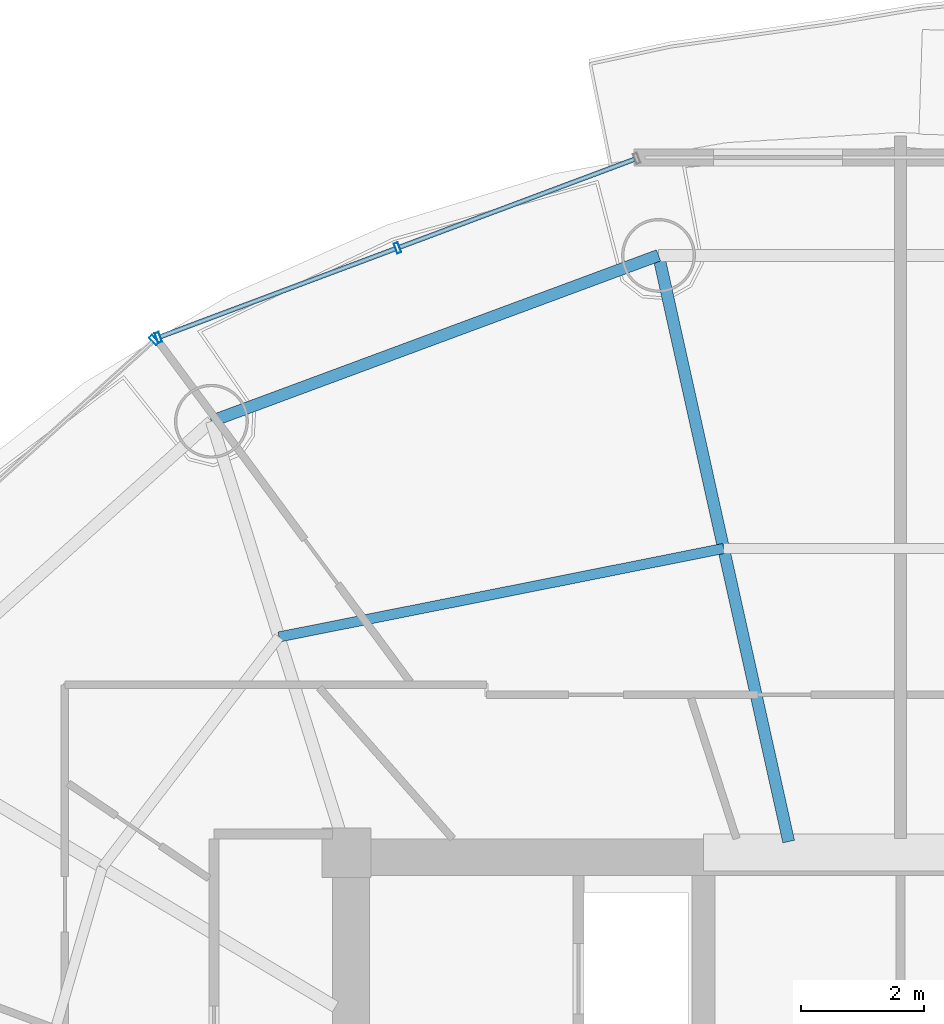
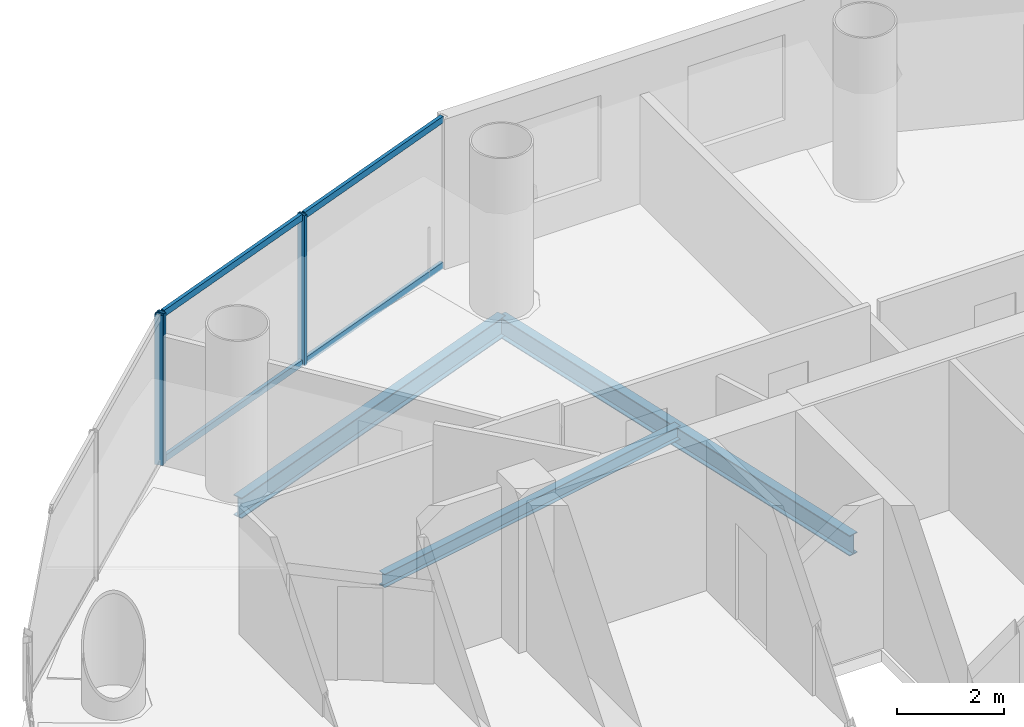
# One storey, part 15 of 26: 7 members, 3 beams, 2 elements without a shape of their own.
"""IFC4 building model written with IfcOpenShell, lengths in metres."""

from ifc_helpers import new_model, si_unit, direction, frame, origin, origin_2d, place, context, subcontext, project, spatial, hollow_rectangle, i_section, extrude, source, transform, mapped, material, material_profile, profile_set, type_object, element, aggregate, save


model = new_model("IFC4")

# Units and contexts
model_context = context("Model", 3, precision=1e-05, world=origin(), true_north=direction((-0.2419218956, 0.970295726276)))
body_context = subcontext(model_context, "Body", "Model", "MODEL_VIEW")
ifc_project = project(units=[si_unit("LENGTHUNIT", "METRE"), si_unit("AREAUNIT", "SQUARE_METRE"), si_unit("VOLUMEUNIT", "CUBIC_METRE"), si_unit("PLANEANGLEUNIT", "RADIAN"), si_unit("MASSUNIT", "GRAM", prefix="KILO")], contexts=[model_context])

# Site, building, storey
site_placement = place(None, origin())
site = spatial("IfcSite", under=ifc_project, at=site_placement, CompositionType="ELEMENT")
building_placement = place(site_placement, origin())
building = spatial("IfcBuilding", under=site, at=building_placement, Name="Cobrevalo Terracotta Tower", CompositionType="ELEMENT")
storey_placement = place(building_placement, frame((0.0, 0.0, 206.0)))
storey = spatial("IfcBuildingStorey", under=building, at=storey_placement, Name="L54", CompositionType="ELEMENT", Elevation=206.0)

# Beams
ifc_material_1 = material(Name="Steel S355", Category="steel")
ifc_material_profile_1 = material_profile(ifc_material_1, i_section(OverallWidth=0.194091796875, OverallDepth=0.468994140625, WebThickness=0.011474609375, FlangeThickness=0.0205078125, at=origin_2d()), Name="W 460x106")
ifc_profile_set_1 = profile_set([ifc_material_profile_1], Name="Steel S355")
beam_type_1 = type_object("IfcBeamType", Name="Structural Beam W 460x106 (Steel S355)", PredefinedType="BEAM", material=ifc_profile_set_1)
beam_1_placement = place(storey_placement, frame((34.06884765625, 44.503173828125, -0.49951171875), z_axis=(0.216782061165, -0.976220025382, 0.0), x_axis=(0.976220025382, 0.216782061165, 0.0)))
element("IfcBeam", 1, at=beam_1_placement, inside=storey, type_object=beam_type_1, Name="L54 radial floor girder 05", PredefinedType="BEAM", context=body_context, shape_type="SweptSolid", body=[
    extrude(i_section(OverallWidth=0.194091796875, OverallDepth=0.468994140625, WebThickness=0.011474609375, FlangeThickness=0.0205078125, at=origin_2d()), origin(), (0.0, 0.0, 1.0), 9.755126953125),
])
ifc_material_profile_2 = material_profile(ifc_material_1, i_section(OverallWidth=0.1650390625, OverallDepth=0.31005859375, WebThickness=0.005859375, FlangeThickness=0.009765625, at=origin_2d()), Name="W 310x38.7")
ifc_profile_set_2 = profile_set([ifc_material_profile_2], Name="Steel S355")
beam_type_2 = type_object("IfcBeamType", Name="Structural Joist W 310x38.7 (Steel S355)", PredefinedType="JOIST", material=ifc_profile_set_2)
beam_2_placement = place(storey_placement, frame((35.126220703125, 39.74169921875, -0.419921875), z_axis=(-0.980762562197, -0.195204499418, 0.0), x_axis=(0.195204499418, -0.980762562197, 0.0)))
element("IfcBeam", 2, at=beam_2_placement, inside=storey, type_object=beam_type_2, Name="L54 circumferential secondary floor joist 05", PredefinedType="JOIST", context=body_context, shape_type="SweptSolid", body=[
    extrude(i_section(OverallWidth=0.1650390625, OverallDepth=0.31005859375, WebThickness=0.005859375, FlangeThickness=0.009765625, at=origin_2d()), origin(), (0.0, 0.0, 1.0), 7.365234375),
])
ifc_material_profile_3 = material_profile(ifc_material_1, i_section(OverallWidth=0.194091796875, OverallDepth=0.468994140625, WebThickness=0.011474609375, FlangeThickness=0.0205078125, at=origin_2d()), Name="W 460x106")
ifc_profile_set_3 = profile_set([ifc_material_profile_3], Name="Steel S355")
beam_type_3 = type_object("IfcBeamType", Name="Structural Spandrel W 460x106 (Steel S355)", PredefinedType="SPANDREL", material=ifc_profile_set_3)
beam_3_placement = place(storey_placement, frame((34.06884765625, 44.503173828125, -0.49951171875), z_axis=(-0.937545996665, -0.347861328892, 0.0), x_axis=(0.347861328892, -0.937545996665, 0.0)))
element("IfcBeam", 3, at=beam_3_placement, inside=storey, type_object=beam_type_3, Name="L54 perimeter ring spandrel 05", PredefinedType="SPANDREL", context=body_context, shape_type="SweptSolid", body=[
    extrude(i_section(OverallWidth=0.194091796875, OverallDepth=0.468994140625, WebThickness=0.011474609375, FlangeThickness=0.0205078125, at=origin_2d()), origin(), (0.0, 0.0, 1.0), 7.74755859375),
])

# Curtain wall, members
ifc_material_2 = material(Name="Anodized aluminium", Category="aluminium")
curtain_wall_type = type_object("IfcCurtainWallType", Name="Mid-tower high-wind unitised curtain wall CW-U2", PredefinedType="NOTDEFINED", material=ifc_material_2)
curtain_wall_1_placement = place(storey_placement, origin())
curtain_wall_1 = element("IfcCurtainWall", 4, at=curtain_wall_1_placement, inside=storey, type_object=curtain_wall_type, Name="L54 curtain wall CW-L54-S05", PredefinedType="NOTDEFINED")
ifc_material_profile_4 = material_profile(ifc_material_2, hollow_rectangle(XDim=0.074951171875, YDim=0.14990234375, WallThickness=0.00439453125, at=origin_2d()), Name="CWT 75x150")
ifc_profile_set_4 = profile_set([ifc_material_profile_4], Name="Anodized aluminium")
member_type_1 = type_object("IfcMemberType", Name="Tower unitised aluminium transom 75x150", PredefinedType="USERDEFINED", material=ifc_profile_set_4)
shared_shape_1 = source(origin(), body_context, "Body", "SweptSolid", [
    extrude(hollow_rectangle(XDim=0.074951171875, YDim=0.14990234375, WallThickness=0.00439453125, at=origin_2d()), origin(), (0.0, 0.0, 1.0), 4.069580078125),
])
member_1_placement = place(storey_placement, frame((29.79150390625, 44.609619140625, 0.050048828125), z_axis=(-0.936548420649, -0.350538237259, 0.0), x_axis=(0.350538237259, -0.936548420649, 0.0)))
member_1 = element("IfcMember", 5, at=member_1_placement, type_object=member_type_1, Name="CW-L54-S05 transom B02-T1", ObjectType="TRANSOM", PredefinedType="USERDEFINED", context=body_context, shape_type="MappedRepresentation", body=[
    mapped(shared_shape_1, transform((0.0, 0.0, 0.0), scale=1.0)),
])
member_2_placement = place(storey_placement, frame((29.79150390625, 44.609619140625, 3.385009765625), z_axis=(-0.936548420649, -0.350538237259, 0.0), x_axis=(0.350538237259, -0.936548420649, 0.0)))
member_2 = element("IfcMember", 6, at=member_2_placement, type_object=member_type_1, Name="CW-L54-S05 transom B02-T2", ObjectType="TRANSOM", PredefinedType="USERDEFINED", context=body_context, shape_type="MappedRepresentation", body=[
    mapped(shared_shape_1, transform((0.0, 0.0, 0.0), scale=1.0)),
])
shared_shape_2 = source(origin(), body_context, "Body", "SweptSolid", [
    extrude(hollow_rectangle(XDim=0.074951171875, YDim=0.14990234375, WallThickness=0.00439453125, at=origin_2d()), origin(), (0.0, 0.0, 1.0), 4.06982421875),
])
member_3_placement = place(storey_placement, frame((33.677978515625, 46.06396484375, 0.050048828125), z_axis=(-0.936555791772, -0.350518542873, 0.0), x_axis=(0.350518542873, -0.936555791772, 0.0)))
member_3 = element("IfcMember", 7, at=member_3_placement, type_object=member_type_1, Name="CW-L54-S05 transom B01-T1", ObjectType="TRANSOM", PredefinedType="USERDEFINED", context=body_context, shape_type="MappedRepresentation", body=[
    mapped(shared_shape_2, transform((0.0, 0.0, 0.0), scale=1.0)),
])
member_4_placement = place(storey_placement, frame((33.677978515625, 46.06396484375, 3.385009765625), z_axis=(-0.936555791772, -0.350518542873, 0.0), x_axis=(0.350518542873, -0.936555791772, 0.0)))
member_4 = element("IfcMember", 8, at=member_4_placement, type_object=member_type_1, Name="CW-L54-S05 transom B01-T2", ObjectType="TRANSOM", PredefinedType="USERDEFINED", context=body_context, shape_type="MappedRepresentation", body=[
    mapped(shared_shape_2, transform((0.0, 0.0, 0.0), scale=1.0)),
])
ifc_material_profile_5 = material_profile(ifc_material_2, hollow_rectangle(XDim=0.070068359375, YDim=0.169921875, WallThickness=0.00439453125, at=origin_2d()), Name="CWM 70x170")
ifc_profile_set_5 = profile_set([ifc_material_profile_5], Name="Anodized aluminium")
member_type_2 = type_object("IfcMemberType", Name="Upper tower unitised mullion 70x170", PredefinedType="MULLION", material=ifc_profile_set_5)
shared_shape_3 = source(origin(), body_context, "Body", "SweptSolid", [
    extrude(hollow_rectangle(XDim=0.070068359375, YDim=0.169921875, WallThickness=0.00439453125, at=origin_2d()), origin(), (0.0, 0.0, 1.0), 3.43505859375),
])
member_5_placement = place(storey_placement, frame((29.8291015625, 44.62353515625, 0.0), z_axis=(0.0, 0.0, 1.0), x_axis=(-0.936556004584, -0.350517974259, 0.0)))
member_5 = element("IfcMember", 9, at=member_5_placement, type_object=member_type_2, Name="CW-L54-S05 vertical mullion 02", PredefinedType="MULLION", context=body_context, shape_type="MappedRepresentation", body=[
    mapped(shared_shape_3, transform((0.0, 0.0, 0.0), scale=1.0)),
])
member_6_placement = place(storey_placement, frame((25.942626953125, 43.1689453125, 0.0), z_axis=(0.0, 0.0, 1.0), x_axis=(-0.936556004584, -0.350517974259, 0.0)))
member_6 = element("IfcMember", 10, at=member_6_placement, type_object=member_type_2, Name="CW-L54-S05 vertical mullion 03", PredefinedType="MULLION", context=body_context, shape_type="MappedRepresentation", body=[
    mapped(shared_shape_3, transform((0.0, 0.0, 0.0), scale=1.0)),
])
aggregate(curtain_wall_1, [member_5, member_6, member_3, member_4, member_1, member_2])

# Curtain wall, member
curtain_wall_2_placement = place(storey_placement, origin())
curtain_wall_2 = element("IfcCurtainWall", 11, at=curtain_wall_2_placement, inside=storey, type_object=curtain_wall_type, Name="L54 curtain wall CW-L54-S06", PredefinedType="NOTDEFINED")
member_7_placement = place(storey_placement, frame((25.87548828125, 43.128173828125, 0.0), z_axis=(0.0, 0.0, 1.0), x_axis=(-0.741987542015, -0.670413668935, 0.0)))
member_7 = element("IfcMember", 12, at=member_7_placement, type_object=member_type_2, Name="CW-L54-S06 vertical mullion 01", PredefinedType="MULLION", context=body_context, shape_type="MappedRepresentation", body=[
    mapped(shared_shape_3, transform((0.0, 0.0, 0.0), scale=1.0)),
])
aggregate(curtain_wall_2, [member_7])

save(model, "model.ifc")
